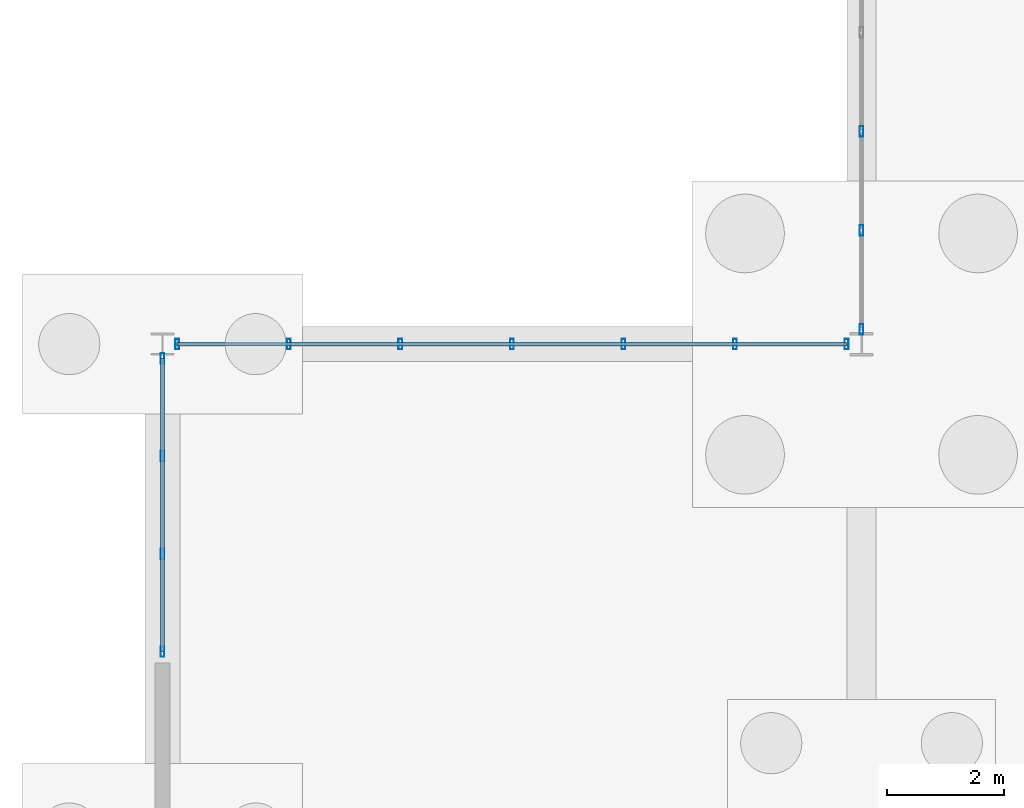
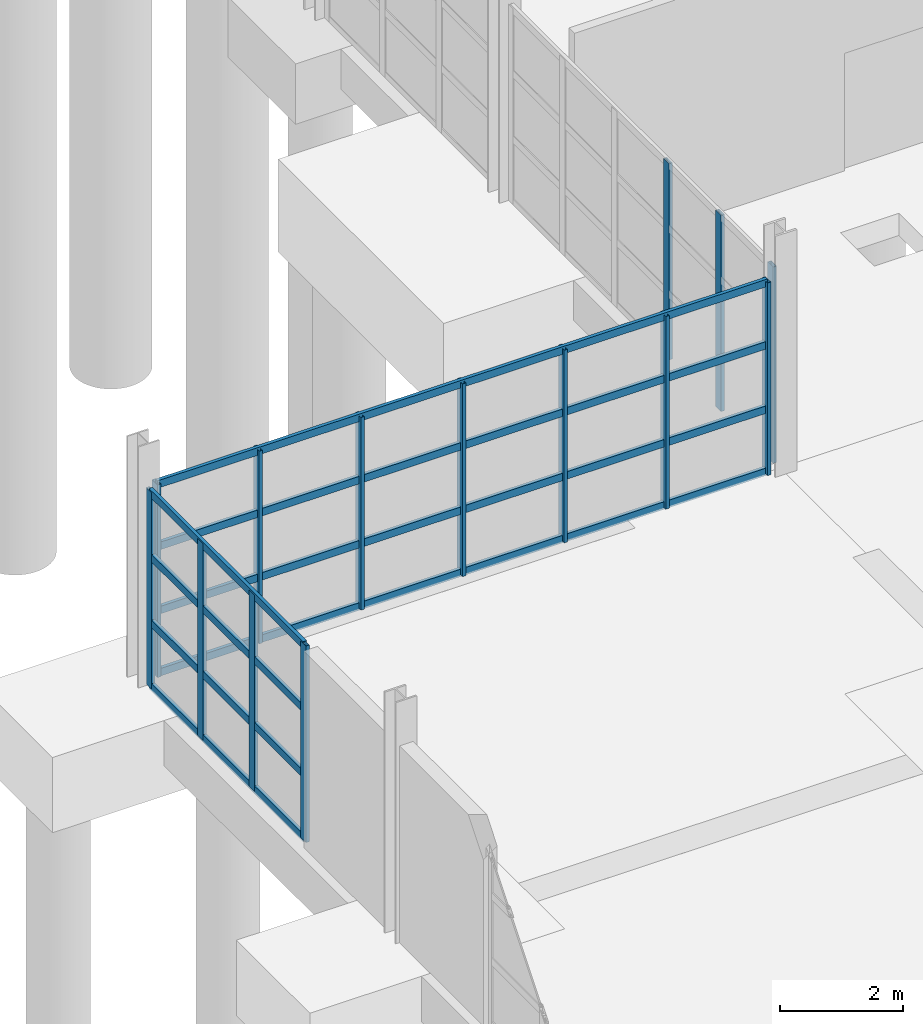
# One storey, part 36 of 82: 22 members, 3 elements without a shape of their own.
"""IFC4 building model written with IfcOpenShell, lengths in metres."""

from ifc_helpers import new_model, si_unit, direction, frame, origin, origin_2d, place, context, subcontext, project, spatial, hollow_rectangle, extrude, material, material_profile, profile_set, type_object, element, aggregate, save


model = new_model("IFC4")

# Units and contexts
model_context = context("Model", 3, precision=1e-05, world=origin(), true_north=direction((0.0, 1.0)))
body_context = subcontext(model_context, "Body", "Model", "MODEL_VIEW")
ifc_project = project(units=[si_unit("LENGTHUNIT", "METRE"), si_unit("AREAUNIT", "SQUARE_METRE"), si_unit("VOLUMEUNIT", "CUBIC_METRE"), si_unit("PLANEANGLEUNIT", "RADIAN"), si_unit("MASSUNIT", "GRAM", prefix="KILO")], contexts=[model_context])

# Site, building, storey
site_placement = place(None, origin())
site = spatial("IfcSite", under=ifc_project, at=site_placement, CompositionType="ELEMENT")
building_placement = place(site_placement, origin())
building = spatial("IfcBuilding", under=site, at=building_placement, Name="Kelmvaro Bay Concert Hall", CompositionType="ELEMENT")
storey_placement = place(building_placement, origin())
storey = spatial("IfcBuildingStorey", under=building, at=storey_placement, Name="L00", CompositionType="ELEMENT", Elevation=0.0)

# Curtain wall, members
ifc_material_1 = material(Name="Anodised Aluminium and Low-E Insulated Glazing", Category="aluminium")
curtain_wall_type_1 = type_object("IfcCurtainWallType", Name="Chamber Foyer Curtain Wall 3900", PredefinedType="USERDEFINED", material=ifc_material_1)
curtain_wall_1_placement = place(storey_placement, origin())
curtain_wall_1 = element("IfcCurtainWall", 1, at=curtain_wall_1_placement, inside=storey, type_object=curtain_wall_type_1, Name="Unitised Curtain Wall CW-L00-032", ObjectType="UNITISED GLAZING", PredefinedType="USERDEFINED")
ifc_material_2 = material(Name="Anodised Extruded Aluminium 6063-T6", Category="aluminium")
ifc_material_profile_1 = material_profile(ifc_material_2, hollow_rectangle(XDim=0.06494140625, YDim=0.179931640625, WallThickness=0.00390625, at=origin_2d()), Name="ALU-MUL-180X65")
ifc_profile_set_1 = profile_set([ifc_material_profile_1], Name="Anodised Extruded Aluminium 6063-T6")
member_type_1 = type_object("IfcMemberType", Name="Curtain Mullion ALU 180x65", PredefinedType="MULLION", material=ifc_profile_set_1)
member_1_placement = place(storey_placement, frame((120.0, 74.054443359375, 0.0), z_axis=(0.0, 0.0, 1.0), x_axis=(1.0, 0.0, 0.0)))
member_1 = element("IfcMember", 2, at=member_1_placement, type_object=member_type_1, Name="CW-L00-032 Mullion 01", PredefinedType="MULLION", context=body_context, shape_type="SweptSolid", body=[
    extrude(hollow_rectangle(XDim=0.06494140625, YDim=0.179931640625, WallThickness=0.00390625, at=origin_2d()), origin(), (0.0, 0.0, 1.0), 3.908935546875),
])
member_2_placement = place(storey_placement, frame((120.0, 75.753173828125, 0.0), z_axis=(0.0, 0.0, 1.0), x_axis=(1.0, 0.0, 0.0)))
member_2 = element("IfcMember", 3, at=member_2_placement, type_object=member_type_1, Name="CW-L00-032 Mullion 02", PredefinedType="MULLION", context=body_context, shape_type="SweptSolid", body=[
    extrude(hollow_rectangle(XDim=0.06494140625, YDim=0.179931640625, WallThickness=0.00390625, at=origin_2d()), origin(), (0.0, 0.0, 1.0), 3.908935546875),
])
member_3_placement = place(storey_placement, frame((120.0, 77.451904296875, 0.0), z_axis=(0.0, 0.0, 1.0), x_axis=(1.0, 0.0, 0.0)))
member_3 = element("IfcMember", 4, at=member_3_placement, type_object=member_type_1, Name="CW-L00-032 Mullion 03", PredefinedType="MULLION", context=body_context, shape_type="SweptSolid", body=[
    extrude(hollow_rectangle(XDim=0.06494140625, YDim=0.179931640625, WallThickness=0.00390625, at=origin_2d()), origin(), (0.0, 0.0, 1.0), 3.908935546875),
])
aggregate(curtain_wall_1, [member_1, member_2, member_3])

ifc_material_3 = material(Name="Anodised Aluminium and Low-E Insulated Glazing", Category="aluminium")
curtain_wall_type_2 = type_object("IfcCurtainWallType", Name="Foyer Ground Hurricane Curtain Wall 4400", PredefinedType="USERDEFINED", material=ifc_material_3)
curtain_wall_2_placement = place(storey_placement, origin())
curtain_wall_2 = element("IfcCurtainWall", 5, at=curtain_wall_2_placement, inside=storey, type_object=curtain_wall_type_2, Name="Unitised Curtain Wall CW-L00-106", ObjectType="UNITISED GLAZING", PredefinedType="USERDEFINED")
member_4_placement = place(storey_placement, frame((108.0, 68.52001953125, 0.0), z_axis=(0.0, 0.0, 1.0), x_axis=(1.0, 0.0, 0.0)))
member_4 = element("IfcMember", 6, at=member_4_placement, type_object=member_type_1, Name="CW-L00-106 Mullion 01", PredefinedType="MULLION", context=body_context, shape_type="SweptSolid", body=[
    extrude(hollow_rectangle(XDim=0.06494140625, YDim=0.179931640625, WallThickness=0.00390625, at=origin_2d()), origin(), (0.0, 0.0, 1.0), 3.91796875),
])
member_5_placement = place(storey_placement, frame((108.0, 70.1982421875, 0.0), z_axis=(0.0, 0.0, 1.0), x_axis=(1.0, 0.0, 0.0)))
member_5 = element("IfcMember", 7, at=member_5_placement, type_object=member_type_1, Name="CW-L00-106 Mullion 02", PredefinedType="MULLION", context=body_context, shape_type="SweptSolid", body=[
    extrude(hollow_rectangle(XDim=0.06494140625, YDim=0.179931640625, WallThickness=0.00390625, at=origin_2d()), origin(), (0.0, 0.0, 1.0), 3.91796875),
])
member_6_placement = place(storey_placement, frame((108.0, 71.876220703125, 0.0), z_axis=(0.0, 0.0, 1.0), x_axis=(1.0, 0.0, 0.0)))
member_6 = element("IfcMember", 8, at=member_6_placement, type_object=member_type_1, Name="CW-L00-106 Mullion 03", PredefinedType="MULLION", context=body_context, shape_type="SweptSolid", body=[
    extrude(hollow_rectangle(XDim=0.06494140625, YDim=0.179931640625, WallThickness=0.00390625, at=origin_2d()), origin(), (0.0, 0.0, 1.0), 3.91796875),
])
member_7_placement = place(storey_placement, frame((108.0, 73.554443359375, 0.0), z_axis=(0.0, 0.0, 1.0), x_axis=(1.0, 0.0, 0.0)))
member_7 = element("IfcMember", 9, at=member_7_placement, type_object=member_type_1, Name="CW-L00-106 Mullion 04", PredefinedType="MULLION", context=body_context, shape_type="SweptSolid", body=[
    extrude(hollow_rectangle(XDim=0.06494140625, YDim=0.179931640625, WallThickness=0.00390625, at=origin_2d()), origin(), (0.0, 0.0, 1.0), 3.91796875),
])

curtain_wall_3_placement = place(storey_placement, origin())
curtain_wall_3 = element("IfcCurtainWall", 10, at=curtain_wall_3_placement, inside=storey, type_object=curtain_wall_type_2, Name="Unitised Curtain Wall CW-L00-108", ObjectType="UNITISED GLAZING", PredefinedType="USERDEFINED")
member_8_placement = place(storey_placement, frame((108.2529296875, 73.800048828125, 0.0), z_axis=(0.0, 0.0, 1.0), x_axis=(1.0, 0.0, 0.0)))
member_8 = element("IfcMember", 11, at=member_8_placement, type_object=member_type_1, Name="CW-L00-108 Mullion 01", PredefinedType="MULLION", context=body_context, shape_type="SweptSolid", body=[
    extrude(hollow_rectangle(XDim=0.06494140625, YDim=0.179931640625, WallThickness=0.00390625, at=origin_2d()), origin(), (0.0, 0.0, 1.0), 3.8369140625),
])
member_9_placement = place(storey_placement, frame((110.168212890625, 73.800048828125, 0.0), z_axis=(0.0, 0.0, 1.0), x_axis=(1.0, 0.0, 0.0)))
member_9 = element("IfcMember", 12, at=member_9_placement, type_object=member_type_1, Name="CW-L00-108 Mullion 02", PredefinedType="MULLION", context=body_context, shape_type="SweptSolid", body=[
    extrude(hollow_rectangle(XDim=0.06494140625, YDim=0.179931640625, WallThickness=0.00390625, at=origin_2d()), origin(), (0.0, 0.0, 1.0), 3.8369140625),
])
member_10_placement = place(storey_placement, frame((112.08349609375, 73.800048828125, 0.0), z_axis=(0.0, 0.0, 1.0), x_axis=(1.0, 0.0, 0.0)))
member_10 = element("IfcMember", 13, at=member_10_placement, type_object=member_type_1, Name="CW-L00-108 Mullion 03", PredefinedType="MULLION", context=body_context, shape_type="SweptSolid", body=[
    extrude(hollow_rectangle(XDim=0.06494140625, YDim=0.179931640625, WallThickness=0.00390625, at=origin_2d()), origin(), (0.0, 0.0, 1.0), 3.8369140625),
])
member_11_placement = place(storey_placement, frame((113.998779296875, 73.800048828125, 0.0), z_axis=(0.0, 0.0, 1.0), x_axis=(1.0, 0.0, 0.0)))
member_11 = element("IfcMember", 14, at=member_11_placement, type_object=member_type_1, Name="CW-L00-108 Mullion 04", PredefinedType="MULLION", context=body_context, shape_type="SweptSolid", body=[
    extrude(hollow_rectangle(XDim=0.06494140625, YDim=0.179931640625, WallThickness=0.00390625, at=origin_2d()), origin(), (0.0, 0.0, 1.0), 3.8369140625),
])
member_12_placement = place(storey_placement, frame((115.9140625, 73.800048828125, 0.0), z_axis=(0.0, 0.0, 1.0), x_axis=(1.0, 0.0, 0.0)))
member_12 = element("IfcMember", 15, at=member_12_placement, type_object=member_type_1, Name="CW-L00-108 Mullion 05", PredefinedType="MULLION", context=body_context, shape_type="SweptSolid", body=[
    extrude(hollow_rectangle(XDim=0.06494140625, YDim=0.179931640625, WallThickness=0.00390625, at=origin_2d()), origin(), (0.0, 0.0, 1.0), 3.8369140625),
])
member_13_placement = place(storey_placement, frame((117.829345703125, 73.800048828125, 0.0), z_axis=(0.0, 0.0, 1.0), x_axis=(1.0, 0.0, 0.0)))
member_13 = element("IfcMember", 16, at=member_13_placement, type_object=member_type_1, Name="CW-L00-108 Mullion 06", PredefinedType="MULLION", context=body_context, shape_type="SweptSolid", body=[
    extrude(hollow_rectangle(XDim=0.06494140625, YDim=0.179931640625, WallThickness=0.00390625, at=origin_2d()), origin(), (0.0, 0.0, 1.0), 3.8369140625),
])
member_14_placement = place(storey_placement, frame((119.744384765625, 73.800048828125, 0.0), z_axis=(0.0, 0.0, 1.0), x_axis=(1.0, 0.0, 0.0)))
member_14 = element("IfcMember", 17, at=member_14_placement, type_object=member_type_1, Name="CW-L00-108 Mullion 07", PredefinedType="MULLION", context=body_context, shape_type="SweptSolid", body=[
    extrude(hollow_rectangle(XDim=0.06494140625, YDim=0.179931640625, WallThickness=0.00390625, at=origin_2d()), origin(), (0.0, 0.0, 1.0), 3.8369140625),
])

# Member
ifc_material_4 = material(Name="Anodised Extruded Aluminium 6063-T6", Category="aluminium")
ifc_material_profile_2 = material_profile(ifc_material_4, hollow_rectangle(XDim=0.06494140625, YDim=0.14990234375, WallThickness=0.00390625, at=origin_2d()), Name="ALU-TRN-150X65")
ifc_profile_set_2 = profile_set([ifc_material_profile_2], Name="Anodised Extruded Aluminium 6063-T6")
member_type_2 = type_object("IfcMemberType", Name="Curtain Transom ALU 150x65", PredefinedType="USERDEFINED", material=ifc_profile_set_2)
member_15_placement = place(storey_placement, frame((108.0, 68.52001953125, 0.0400390625), z_axis=(0.0, 1.0, 0.0), x_axis=(-1.0, 0.0, 0.0)))
member_15 = element("IfcMember", 18, at=member_15_placement, type_object=member_type_2, Name="CW-L00-106 Transom 01", ObjectType="TRANSOM", PredefinedType="USERDEFINED", context=body_context, shape_type="SweptSolid", body=[
    extrude(hollow_rectangle(XDim=0.06494140625, YDim=0.14990234375, WallThickness=0.00390625, at=origin_2d()), origin(), (0.0, 0.0, 1.0), 5.034423828125),
])

member_16_placement = place(storey_placement, frame((108.0, 68.52001953125, 1.305908203125), z_axis=(0.0, 1.0, 0.0), x_axis=(-1.0, 0.0, 0.0)))
member_16 = element("IfcMember", 19, at=member_16_placement, type_object=member_type_2, Name="CW-L00-106 Transom 02", ObjectType="TRANSOM", PredefinedType="USERDEFINED", context=body_context, shape_type="SweptSolid", body=[
    extrude(hollow_rectangle(XDim=0.06494140625, YDim=0.14990234375, WallThickness=0.00390625, at=origin_2d()), origin(), (0.0, 0.0, 1.0), 5.034423828125),
])

member_17_placement = place(storey_placement, frame((108.0, 68.52001953125, 2.612060546875), z_axis=(0.0, 1.0, 0.0), x_axis=(-1.0, 0.0, 0.0)))
member_17 = element("IfcMember", 20, at=member_17_placement, type_object=member_type_2, Name="CW-L00-106 Transom 03", ObjectType="TRANSOM", PredefinedType="USERDEFINED", context=body_context, shape_type="SweptSolid", body=[
    extrude(hollow_rectangle(XDim=0.06494140625, YDim=0.14990234375, WallThickness=0.00390625, at=origin_2d()), origin(), (0.0, 0.0, 1.0), 5.034423828125),
])

member_18_placement = place(storey_placement, frame((108.0, 68.52001953125, 3.8779296875), z_axis=(0.0, 1.0, 0.0), x_axis=(-1.0, 0.0, 0.0)))
member_18 = element("IfcMember", 21, at=member_18_placement, type_object=member_type_2, Name="CW-L00-106 Transom 04", ObjectType="TRANSOM", PredefinedType="USERDEFINED", context=body_context, shape_type="SweptSolid", body=[
    extrude(hollow_rectangle(XDim=0.06494140625, YDim=0.14990234375, WallThickness=0.00390625, at=origin_2d()), origin(), (0.0, 0.0, 1.0), 5.034423828125),
])

aggregate(curtain_wall_2, [member_4, member_5, member_6, member_7, member_15, member_16, member_17, member_18])

member_19_placement = place(storey_placement, frame((108.2529296875, 73.800048828125, 0.0400390625), z_axis=(1.0, 0.0, 0.0), x_axis=(0.0, 1.0, 0.0)))
member_19 = element("IfcMember", 22, at=member_19_placement, type_object=member_type_2, Name="CW-L00-108 Transom 01", ObjectType="TRANSOM", PredefinedType="USERDEFINED", context=body_context, shape_type="SweptSolid", body=[
    extrude(hollow_rectangle(XDim=0.06494140625, YDim=0.14990234375, WallThickness=0.00390625, at=origin_2d()), origin(), (0.0, 0.0, 1.0), 11.491455078125),
])

member_20_placement = place(storey_placement, frame((108.2529296875, 73.800048828125, 1.279052734375), z_axis=(1.0, 0.0, 0.0), x_axis=(0.0, 1.0, 0.0)))
member_20 = element("IfcMember", 23, at=member_20_placement, type_object=member_type_2, Name="CW-L00-108 Transom 02", ObjectType="TRANSOM", PredefinedType="USERDEFINED", context=body_context, shape_type="SweptSolid", body=[
    extrude(hollow_rectangle(XDim=0.06494140625, YDim=0.14990234375, WallThickness=0.00390625, at=origin_2d()), origin(), (0.0, 0.0, 1.0), 11.491455078125),
])

member_21_placement = place(storey_placement, frame((108.2529296875, 73.800048828125, 2.55810546875), z_axis=(1.0, 0.0, 0.0), x_axis=(0.0, 1.0, 0.0)))
member_21 = element("IfcMember", 24, at=member_21_placement, type_object=member_type_2, Name="CW-L00-108 Transom 03", ObjectType="TRANSOM", PredefinedType="USERDEFINED", context=body_context, shape_type="SweptSolid", body=[
    extrude(hollow_rectangle(XDim=0.06494140625, YDim=0.14990234375, WallThickness=0.00390625, at=origin_2d()), origin(), (0.0, 0.0, 1.0), 11.491455078125),
])

member_22_placement = place(storey_placement, frame((108.2529296875, 73.800048828125, 3.797119140625), z_axis=(1.0, 0.0, 0.0), x_axis=(0.0, 1.0, 0.0)))
member_22 = element("IfcMember", 25, at=member_22_placement, type_object=member_type_2, Name="CW-L00-108 Transom 04", ObjectType="TRANSOM", PredefinedType="USERDEFINED", context=body_context, shape_type="SweptSolid", body=[
    extrude(hollow_rectangle(XDim=0.06494140625, YDim=0.14990234375, WallThickness=0.00390625, at=origin_2d()), origin(), (0.0, 0.0, 1.0), 11.491455078125),
])

aggregate(curtain_wall_3, [member_8, member_9, member_10, member_11, member_12, member_13, member_14, member_19, member_20, member_21, member_22])

save(model, "model.ifc")
